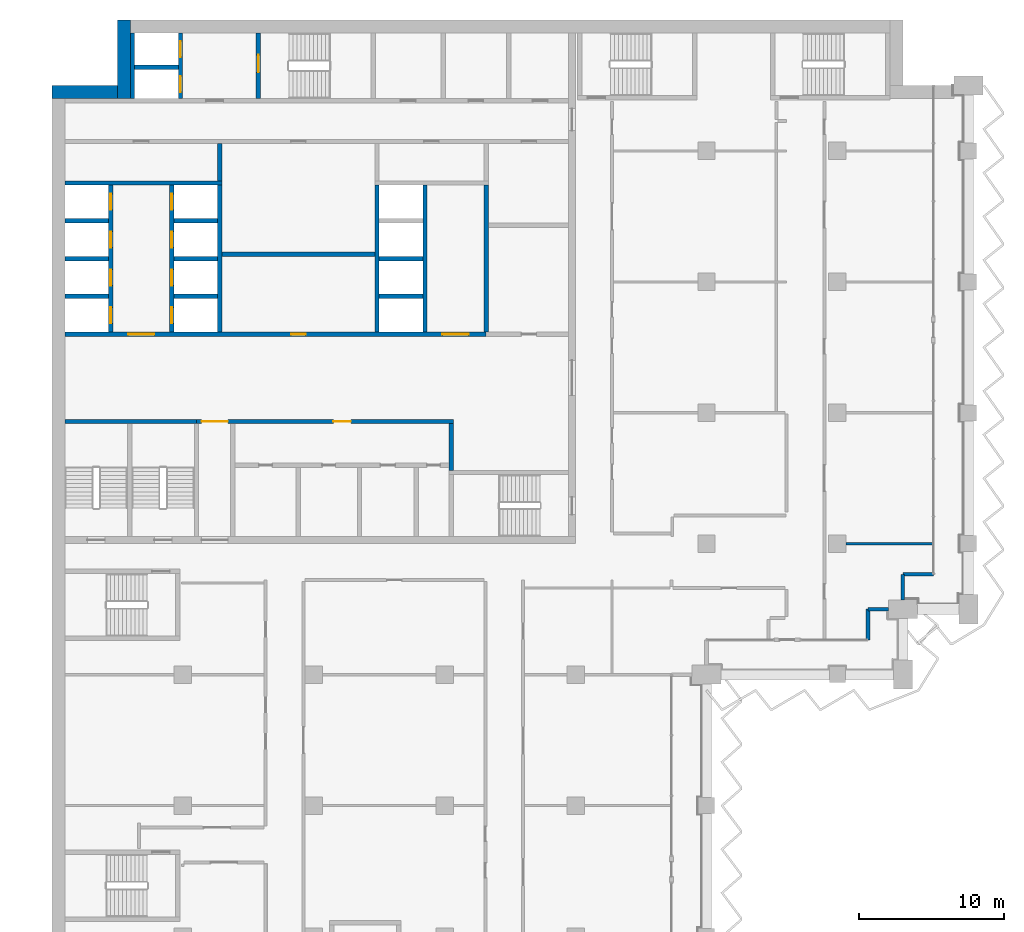
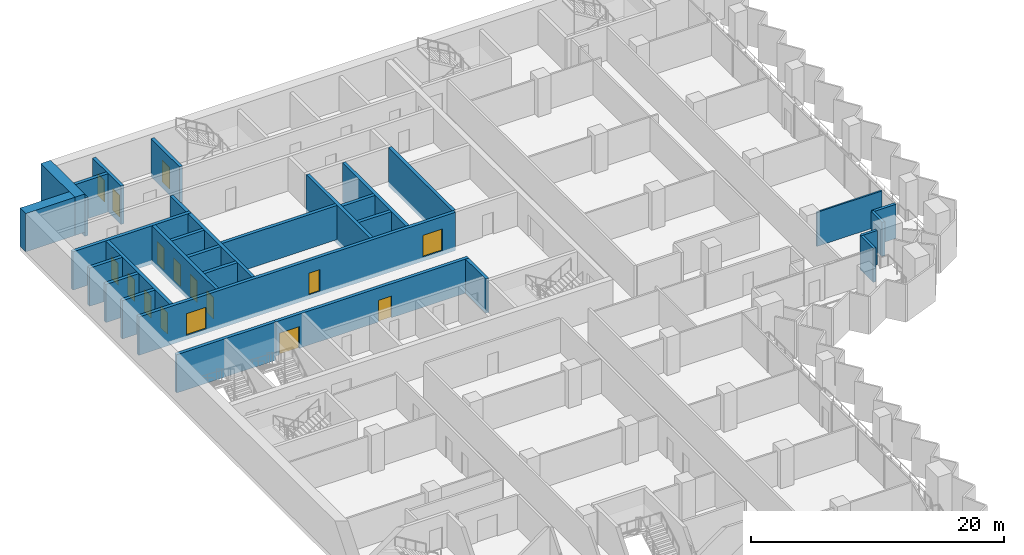
# One storey, part 12 of 22: 32 walls, 16 doors, 16 openings.
"""IFC4 building model written with IfcOpenShell, lengths in metres."""

from ifc_helpers import new_model, si_unit, direction, frame, frame_2d, origin, place, context, subcontext, project, spatial, rectangle, extrude, material, layer, layer_set, type_object, element, fill, save


model = new_model("IFC4")

# Units and contexts
model_context = context("Model", 3, precision=1e-05, world=origin(), true_north=direction((0.0, 1.0)))
body_context = subcontext(model_context, "Body", "Model", "MODEL_VIEW")
ifc_project = project(units=[si_unit("LENGTHUNIT", "METRE"), si_unit("AREAUNIT", "SQUARE_METRE"), si_unit("VOLUMEUNIT", "CUBIC_METRE"), si_unit("PLANEANGLEUNIT", "RADIAN"), si_unit("MASSUNIT", "GRAM", prefix="KILO")], contexts=[model_context])

# Site, building, storey
site_placement = place(None, origin())
site = spatial("IfcSite", under=ifc_project, at=site_placement, CompositionType="ELEMENT")
building_placement = place(site_placement, origin())
building = spatial("IfcBuilding", under=site, at=building_placement, Name="Hunhe Ridgeline Campus", CompositionType="ELEMENT")
storey_placement = place(building_placement, frame((0.0, 0.0, 159.699951171875)))
storey = spatial("IfcBuildingStorey", under=building, at=storey_placement, Name="L40", CompositionType="ELEMENT", Elevation=159.699951171875)

# Wall, openings, doors
ifc_material_1 = material(Name="Masonry concrete blockwork", Category="masonry")
ifc_layer_1 = layer(ifc_material_1, 0.300048828125)
ifc_layer_set_1 = layer_set([ifc_layer_1], Name="Core room partition 300 concrete block")
wall_type_1 = type_object("IfcWallType", Name="Core room partition 300 concrete block", PredefinedType="PARTITIONING", material=ifc_layer_set_1)
wall_1_placement = place(storey_placement, frame((9.949951171875, 71.39990234375, 0.0), z_axis=(0.0, 0.0, 1.0), x_axis=(1.0, 0.0, 0.0)))
wall_1 = element("IfcWall", 1, at=wall_1_placement, inside=storey, type_object=wall_type_1, Name="L40 core partition 11", PredefinedType="PARTITIONING", context=body_context, shape_type="SweptSolid", body=[
    extrude(rectangle(XDim=17.650146484375, YDim=0.300048828125, at=frame_2d((8.8251953125, 0.0))), origin(), (0.0, 0.0, 1.0), 3.300048828125),
])
opening_1_placement = place(wall_1_placement, frame((0.35009765625, 0.0, 0.0)))
opening_1 = element("IfcOpeningElement", 2, at=opening_1_placement, cuts=wall_1, Name="Opening CD7", PredefinedType="OPENING", context=body_context, shape_type="SweptSolid", body=[
    extrude(rectangle(XDim=1.800048828125, YDim=2.10009765625, at=frame_2d((0.89990234375, 1.050048828125))), frame((0.0, 0.14990234375, 0.0), z_axis=(0.0, -1.0, 0.0), x_axis=(1.0, 0.0, 0.0)), (0.0, 0.0, 1.0), 0.300048828125),
])
opening_2_placement = place(wall_1_placement, frame((9.39990234375, 0.0, 0.0)))
opening_2 = element("IfcOpeningElement", 3, at=opening_2_placement, cuts=wall_1, Name="Opening CD12", PredefinedType="OPENING", context=body_context, shape_type="SweptSolid", body=[
    extrude(rectangle(XDim=1.199951171875, YDim=2.10009765625, at=frame_2d((0.60009765625, 1.050048828125))), frame((0.0, 0.14990234375, 0.0), z_axis=(0.0, -1.0, 0.0), x_axis=(1.0, 0.0, 0.0)), (0.0, 0.0, 1.0), 0.300048828125),
])
ifc_material_2 = material(Name="Anodised aluminium and glass", Category="aluminium")
door_type_1 = type_object("IfcDoorType", Name="Glazed double door 1800x2100", OperationType="DOUBLE_DOOR_SINGLE_SWING", PredefinedType="DOOR", material=ifc_material_2)
door_1_placement = place(opening_1_placement, origin())
door_1 = element("IfcDoor", 4, at=door_1_placement, inside=storey, type_object=door_type_1, Name="L40 door VEST-HALL", OperationType="DOUBLE_DOOR_SINGLE_SWING", OverallHeight=2.10009765625, OverallWidth=1.800048828125, PredefinedType="DOOR", context=body_context, shape_type="SweptSolid", body=[
    extrude(rectangle(XDim=1.800048828125, YDim=2.10009765625, at=frame_2d((0.89990234375, 1.050048828125))), frame((0.0, 0.02490234375, 0.0), z_axis=(0.0, -1.0, 0.0), x_axis=(1.0, 0.0, 0.0)), (0.0, 0.0, 1.0), 0.050048828125),
])
fill(opening_1, door_1)
ifc_material_3 = material(Name="Solid core timber door leaf", Category="wood")
door_type_2 = type_object("IfcDoorType", Name="Timber door 1200x2100", OperationType="SINGLE_SWING_LEFT", PredefinedType="DOOR", material=ifc_material_3)
door_2_placement = place(opening_2_placement, origin())
door_2 = element("IfcDoor", 5, at=door_2_placement, inside=storey, type_object=door_type_2, Name="L40 door WCL2-HALL", OperationType="SINGLE_SWING_LEFT", OverallHeight=2.10009765625, OverallWidth=1.199951171875, PredefinedType="DOOR", context=body_context, shape_type="SweptSolid", body=[
    extrude(rectangle(XDim=1.199951171875, YDim=2.10009765625, at=frame_2d((0.60009765625, 1.050048828125))), frame((0.0, 0.02490234375, 0.0), z_axis=(0.0, -1.0, 0.0), x_axis=(1.0, 0.0, 0.0)), (0.0, 0.0, 1.0), 0.050048828125),
])
fill(opening_2, door_2)

# Walls
wall_2_placement = place(storey_placement, frame((11.699951171875, 82.89990234375, 0.0), z_axis=(0.0, 0.0, 1.0), x_axis=(1.0, 0.0, 0.0)))
element("IfcWall", 6, at=wall_2_placement, inside=storey, type_object=wall_type_1, Name="L40 core partition 20", PredefinedType="PARTITIONING", context=body_context, shape_type="SweptSolid", body=[
    extrude(rectangle(XDim=10.5, YDim=0.300048828125, at=frame_2d((5.25, 0.0))), origin(), (0.0, 0.0, 1.0), 3.300048828125),
])
wall_3_placement = place(storey_placement, frame((11.550048828125, 87.949951171875, 0.0), z_axis=(0.0, 0.0, 1.0), x_axis=(0.0, 1.0, 0.0)))
element("IfcWall", 7, at=wall_3_placement, inside=storey, type_object=wall_type_1, Name="L40 core partition 41", PredefinedType="PARTITIONING", context=body_context, shape_type="SweptSolid", body=[
    extrude(rectangle(XDim=2.550048828125, YDim=0.300048828125, at=frame_2d((1.27490234375, 0.0))), origin(), (0.0, 0.0, 1.0), 3.300048828125),
])
wall_4_placement = place(storey_placement, frame((27.449951171875, 68.050048828125, 0.0), z_axis=(0.0, 0.0, 1.0), x_axis=(0.0, 1.0, 0.0)))
element("IfcWall", 8, at=wall_4_placement, inside=storey, type_object=wall_type_1, Name="L40 core partition 55", PredefinedType="PARTITIONING", context=body_context, shape_type="SweptSolid", body=[
    extrude(rectangle(XDim=3.199951171875, YDim=0.300048828125, at=frame_2d((1.60009765625, 0.0))), origin(), (0.0, 0.0, 1.0), 3.300048828125),
])
ifc_material_4 = material(Name="Concrete C30", Category="concrete")
ifc_layer_2 = layer(ifc_material_4, 0.25)
ifc_layer_set_2 = layer_set([ifc_layer_2], Name="Corner return wall 250 Concrete C30")
wall_type_2 = type_object("IfcWallType", Name="Corner return wall 250 Concrete C30", PredefinedType="SOLIDWALL", material=ifc_layer_set_2)
wall_5_placement = place(storey_placement, frame((56.09912109375, 56.40087890625, 0.0), z_axis=(0.0, 0.0, 1.0), x_axis=(0.00011626555, 0.999999993241, 0.0)))
element("IfcWall", 9, at=wall_5_placement, inside=storey, type_object=wall_type_2, Name="Corner return wall 4", PredefinedType="SOLIDWALL", context=body_context, shape_type="SweptSolid", body=[
    extrude(rectangle(XDim=2.099853515625, YDim=0.25, at=frame_2d((1.0498046875, 0.0))), origin(), (0.0, 0.0, 1.0), 3.300048828125),
])
wall_6_placement = place(storey_placement, frame((56.099365234375, 58.500732421875, 0.0), z_axis=(0.0, 0.0, 1.0), x_axis=(0.999999984809, 0.000174307127, 0.0)))
element("IfcWall", 10, at=wall_6_placement, inside=storey, type_object=wall_type_2, Name="Corner return wall 5", PredefinedType="SOLIDWALL", context=body_context, shape_type="SweptSolid", body=[
    extrude(rectangle(XDim=1.400634765625, YDim=0.25, at=frame_2d((0.7001953125, 0.0))), origin(), (0.0, 0.0, 1.0), 3.300048828125),
])
wall_7_placement = place(storey_placement, frame((58.4990234375, 59.14990234375, 0.0), z_axis=(0.0, 0.0, 1.0), x_axis=(0.000139450563, 0.999999990277, 0.0)))
element("IfcWall", 11, at=wall_7_placement, inside=storey, type_object=wall_type_2, Name="Corner return wall 6", PredefinedType="SOLIDWALL", context=body_context, shape_type="SweptSolid", body=[
    extrude(rectangle(XDim=1.750732421875, YDim=0.25, at=frame_2d((0.87548828125, 0.0))), origin(), (0.0, 0.0, 1.0), 3.300048828125),
])
wall_8_placement = place(storey_placement, frame((58.499267578125, 60.900634765625, 0.0), z_axis=(0.0, 0.0, 1.0), x_axis=(0.999999993241, 0.00011626555, 0.0)))
element("IfcWall", 12, at=wall_8_placement, inside=storey, type_object=wall_type_2, Name="Corner return wall 7", PredefinedType="SOLIDWALL", context=body_context, shape_type="SweptSolid", body=[
    extrude(rectangle(XDim=2.099853515625, YDim=0.25, at=frame_2d((1.0498046875, 0.0))), origin(), (0.0, 0.0, 1.0), 3.300048828125),
])
ifc_material_5 = material(Name="Concrete C70", Category="concrete")
ifc_layer_3 = layer(ifc_material_5, 0.300048828125)
ifc_layer_set_3 = layer_set([ifc_layer_3], Name="Lobby wall 300 reinforced concrete C70")
wall_type_3 = type_object("IfcWallType", Name="Lobby wall 300 reinforced concrete C70", PredefinedType="SOLIDWALL", material=ifc_layer_set_3)
wall_9_placement = place(storey_placement, frame((29.85009765625, 77.550048828125, -0.39990234375), z_axis=(0.0, 0.0, 1.0), x_axis=(0.0, 1.0, 0.0)))
element("IfcWall", 13, at=wall_9_placement, inside=storey, type_object=wall_type_3, Name="L40 core wall 56", PredefinedType="SOLIDWALL", context=body_context, shape_type="SweptSolid", body=[
    extrude(rectangle(XDim=10.099853515625, YDim=0.300048828125, at=frame_2d((5.0498046875, 0.0))), origin(), (0.0, 0.0, 1.0), 3.699951171875),
])
ifc_material_6 = material(Name="Gypsum board partition")
ifc_layer_4 = layer(ifc_material_6, 0.14990234375)
ifc_layer_set_4 = layer_set([ifc_layer_4], Name="Room partition 150 gypsum board on steel studs")
wall_type_4 = type_object("IfcWallType", Name="Room partition 150 gypsum board on steel studs", PredefinedType="PARTITIONING", material=ifc_layer_set_4)
wall_10_placement = place(storey_placement, frame((54.60009765625, 63.0, 0.0), z_axis=(0.0, 0.0, 1.0), x_axis=(1.0, 0.0, 0.0)))
element("IfcWall", 14, at=wall_10_placement, inside=storey, type_object=wall_type_4, Name="F-L40-wall-042", PredefinedType="PARTITIONING", context=body_context, shape_type="SweptSolid", body=[
    extrude(rectangle(XDim=5.94482421875, YDim=0.14990234375, at=frame_2d((2.972412109375, 0.0))), origin(), (0.0, 0.0, 1.0), 3.300048828125),
])

# Wall, openings, doors
ifc_layer_5 = layer(ifc_material_5, 0.300048828125)
ifc_layer_set_5 = layer_set([ifc_layer_5], Name="Shaft wall 300 reinforced concrete C70")
wall_type_5 = type_object("IfcWallType", Name="Shaft wall 300 reinforced concrete C70", PredefinedType="SOLIDWALL", material=ifc_layer_set_5)
wall_11_placement = place(storey_placement, frame((0.89990234375, 77.39990234375, -0.39990234375), z_axis=(0.0, 0.0, 1.0), x_axis=(1.0, 0.0, 0.0)))
wall_11 = element("IfcWall", 15, at=wall_11_placement, inside=storey, type_object=wall_type_5, Name="L40 core wall 12", PredefinedType="SOLIDWALL", context=body_context, shape_type="SweptSolid", body=[
    extrude(rectangle(XDim=28.9501953125, YDim=0.300048828125, at=frame_2d((14.47509765625, 0.0))), origin(), (0.0, 0.0, 1.0), 3.699951171875),
])
opening_3_placement = place(wall_11_placement, frame((4.35009765625, 0.0, 0.39990234375)))
opening_3 = element("IfcOpeningElement", 16, at=opening_3_placement, cuts=wall_11, Name="Opening CD1", PredefinedType="OPENING", context=body_context, shape_type="SweptSolid", body=[
    extrude(rectangle(XDim=1.800048828125, YDim=2.10009765625, at=frame_2d((0.89990234375, 1.050048828125))), frame((0.0, 0.14990234375, 0.0), z_axis=(0.0, -1.0, 0.0), x_axis=(1.0, 0.0, 0.0)), (0.0, 0.0, 1.0), 0.300048828125),
])
opening_4_placement = place(wall_11_placement, frame((25.949951171875, 0.0, 0.39990234375)))
opening_4 = element("IfcOpeningElement", 17, at=opening_4_placement, cuts=wall_11, Name="Opening CD2", PredefinedType="OPENING", context=body_context, shape_type="SweptSolid", body=[
    extrude(rectangle(XDim=1.800048828125, YDim=2.10009765625, at=frame_2d((0.89990234375, 1.050048828125))), frame((0.0, 0.14990234375, 0.0), z_axis=(0.0, -1.0, 0.0), x_axis=(1.0, 0.0, 0.0)), (0.0, 0.0, 1.0), 0.300048828125),
])
opening_5_placement = place(wall_11_placement, frame((15.550048828125, 0.0, 0.39990234375)))
opening_5 = element("IfcOpeningElement", 18, at=opening_5_placement, cuts=wall_11, Name="Opening CD28", PredefinedType="OPENING", context=body_context, shape_type="SweptSolid", body=[
    extrude(rectangle(XDim=1.0, YDim=2.10009765625, at=frame_2d((0.5, 1.050048828125))), frame((0.0, 0.14990234375, 0.0), z_axis=(0.0, -1.0, 0.0), x_axis=(1.0, 0.0, 0.0)), (0.0, 0.0, 1.0), 0.300048828125),
])
ifc_material_7 = material(Name="Hollow metal fire door leaf")
door_type_3 = type_object("IfcDoorType", Name="Lobby door 1800x2100 FD60", OperationType="SINGLE_SWING_LEFT", PredefinedType="DOOR", material=ifc_material_7)
door_3_placement = place(opening_3_placement, frame((1.800048828125, 0.0, 0.0), z_axis=(0.0, 0.0, 1.0), x_axis=(-1.0, 0.0, 0.0)))
door_3 = element("IfcDoor", 19, at=door_3_placement, inside=storey, type_object=door_type_3, Name="L40 door LOB-LR", OperationType="SINGLE_SWING_RIGHT", OverallHeight=2.10009765625, OverallWidth=1.800048828125, PredefinedType="DOOR", context=body_context, shape_type="SweptSolid", body=[
    extrude(rectangle(XDim=1.800048828125, YDim=2.10009765625, at=frame_2d((0.89990234375, 1.050048828125))), frame((0.0, 0.02490234375, 0.0), z_axis=(0.0, -1.0, 0.0), x_axis=(1.0, 0.0, 0.0)), (0.0, 0.0, 1.0), 0.050048828125),
])
fill(opening_3, door_3)
door_4_placement = place(opening_4_placement, frame((1.800048828125, 0.0, 0.0), z_axis=(0.0, 0.0, 1.0), x_axis=(-1.0, 0.0, 0.0)))
door_4 = element("IfcDoor", 20, at=door_4_placement, inside=storey, type_object=door_type_3, Name="L40 door LOB-SH", OperationType="SINGLE_SWING_LEFT", OverallHeight=2.10009765625, OverallWidth=1.800048828125, PredefinedType="DOOR", context=body_context, shape_type="SweptSolid", body=[
    extrude(rectangle(XDim=1.800048828125, YDim=2.10009765625, at=frame_2d((0.89990234375, 1.050048828125))), frame((0.0, 0.02490234375, 0.0), z_axis=(0.0, -1.0, 0.0), x_axis=(1.0, 0.0, 0.0)), (0.0, 0.0, 1.0), 0.050048828125),
])
fill(opening_4, door_4)
door_type_4 = type_object("IfcDoorType", Name="Timber door 1000x2100", OperationType="SINGLE_SWING_LEFT", PredefinedType="DOOR", material=ifc_material_3)
door_5_placement = place(opening_5_placement, origin())
door_5 = element("IfcDoor", 21, at=door_5_placement, inside=storey, type_object=door_type_4, Name="L40 door VD-HR0", OperationType="SINGLE_SWING_RIGHT", OverallHeight=2.10009765625, OverallWidth=1.0, PredefinedType="DOOR", context=body_context, shape_type="SweptSolid", body=[
    extrude(rectangle(XDim=1.0, YDim=2.10009765625, at=frame_2d((0.5, 1.050048828125))), frame((0.0, 0.02490234375, 0.0), z_axis=(0.0, -1.0, 0.0), x_axis=(1.0, 0.0, 0.0)), (0.0, 0.0, 1.0), 0.050048828125),
])
fill(opening_5, door_5)

# Walls
for number, where, z_axis, x_axis, name in (
    (22, (0.89990234375, 80.0, -0.39990234375), (0.0, 0.0, 1.0), (1.0, 0.0, 0.0), "L40 core wall 14"),
    (23, (8.39990234375, 80.0, -0.39990234375), (0.0, 0.0, 1.0), (1.0, 0.0, 0.0), "L40 core wall 15"),
    (24, (22.5, 80.0, -0.39990234375), (0.0, 0.0, 1.0), (1.0, 0.0, 0.0), "L40 core wall 16"),
    (25, (0.89990234375, 82.60009765625, -0.39990234375), (0.0, 0.0, 1.0), (1.0, 0.0, 0.0), "L40 core wall 17"),
    (26, (8.39990234375, 82.60009765625, -0.39990234375), (0.0, 0.0, 1.0), (1.0, 0.0, 0.0), "L40 core wall 18"),
    (27, (22.5, 82.60009765625, -0.39990234375), (0.0, 0.0, 1.0), (1.0, 0.0, 0.0), "L40 core wall 19"),
    (28, (0.89990234375, 85.199951171875, -0.39990234375), (0.0, 0.0, 1.0), (1.0, 0.0, 0.0), "L40 core wall 22"),
    (29, (8.39990234375, 85.199951171875, -0.39990234375), (0.0, 0.0, 1.0), (1.0, 0.0, 0.0), "L40 core wall 23"),
):
    element("IfcWall", number, at=place(storey_placement, frame(where, z_axis=z_axis, x_axis=x_axis)), inside=storey, type_object=wall_type_5, Name=name, PredefinedType="SOLIDWALL", context=body_context, shape_type="SweptSolid", body=[
        extrude(rectangle(XDim=3.0, YDim=0.300048828125, at=frame_2d((1.5, 0.0))), origin(), (0.0, 0.0, 1.0), 3.699951171875),
    ])
wall_12_placement = place(storey_placement, frame((0.89990234375, 87.800048828125, -0.39990234375), z_axis=(0.0, 0.0, 1.0), x_axis=(1.0, 0.0, 0.0)))
element("IfcWall", 30, at=wall_12_placement, inside=storey, type_object=wall_type_5, Name="L40 core wall 25", PredefinedType="SOLIDWALL", context=body_context, shape_type="SweptSolid", body=[
    extrude(rectangle(XDim=10.800048828125, YDim=0.300048828125, at=frame_2d((5.39990234375, 0.0))), origin(), (0.0, 0.0, 1.0), 3.699951171875),
])
wall_13_placement = place(storey_placement, frame((5.699951171875, 95.75, -0.39990234375), z_axis=(0.0, 0.0, 1.0), x_axis=(1.0, 0.0, 0.0)))
element("IfcWall", 31, at=wall_13_placement, inside=storey, type_object=wall_type_5, Name="L40 core wall 31", PredefinedType="SOLIDWALL", context=body_context, shape_type="SweptSolid", body=[
    extrude(rectangle(XDim=3.0, YDim=0.300048828125, at=frame_2d((1.5, 0.0))), origin(), (0.0, 0.0, 1.0), 3.699951171875),
])

# Wall, openings, doors
wall_14_placement = place(storey_placement, frame((4.050048828125, 77.550048828125, -0.39990234375), z_axis=(0.0, 0.0, 1.0), x_axis=(0.0, 1.0, 0.0)))
wall_14 = element("IfcWall", 32, at=wall_14_placement, inside=storey, type_object=wall_type_5, Name="L40 core wall 32", PredefinedType="SOLIDWALL", context=body_context, shape_type="SweptSolid", body=[
    extrude(rectangle(XDim=10.099853515625, YDim=0.300048828125, at=frame_2d((5.0498046875, 0.0))), origin(), (0.0, 0.0, 1.0), 3.699951171875),
])
opening_6_placement = place(wall_14_placement, frame((0.60009765625, 0.0, 0.39990234375)))
opening_6 = element("IfcOpeningElement", 33, at=opening_6_placement, cuts=wall_14, Name="Opening LD-LR1", PredefinedType="OPENING", context=body_context, shape_type="SweptSolid", body=[
    extrude(rectangle(XDim=1.10009765625, YDim=2.10009765625, at=frame_2d((0.550048828125, 1.050048828125))), frame((0.0, 0.14990234375, 0.0), z_axis=(0.0, -1.0, 0.0), x_axis=(1.0, 0.0, 0.0)), (0.0, 0.0, 1.0), 0.300048828125),
])
opening_7_placement = place(wall_14_placement, frame((3.199951171875, 0.0, 0.39990234375)))
opening_7 = element("IfcOpeningElement", 34, at=opening_7_placement, cuts=wall_14, Name="Opening LD-LR2", PredefinedType="OPENING", context=body_context, shape_type="SweptSolid", body=[
    extrude(rectangle(XDim=1.10009765625, YDim=2.10009765625, at=frame_2d((0.550048828125, 1.050048828125))), frame((0.0, 0.14990234375, 0.0), z_axis=(0.0, -1.0, 0.0), x_axis=(1.0, 0.0, 0.0)), (0.0, 0.0, 1.0), 0.300048828125),
])
opening_8_placement = place(wall_14_placement, frame((5.800048828125, 0.0, 0.39990234375)))
opening_8 = element("IfcOpeningElement", 35, at=opening_8_placement, cuts=wall_14, Name="Opening LD-LR3", PredefinedType="OPENING", context=body_context, shape_type="SweptSolid", body=[
    extrude(rectangle(XDim=1.10009765625, YDim=2.10009765625, at=frame_2d((0.550048828125, 1.050048828125))), frame((0.0, 0.14990234375, 0.0), z_axis=(0.0, -1.0, 0.0), x_axis=(1.0, 0.0, 0.0)), (0.0, 0.0, 1.0), 0.300048828125),
])
opening_9_placement = place(wall_14_placement, frame((8.39990234375, 0.0, 0.39990234375)))
opening_9 = element("IfcOpeningElement", 36, at=opening_9_placement, cuts=wall_14, Name="Opening LD-LR4", PredefinedType="OPENING", context=body_context, shape_type="SweptSolid", body=[
    extrude(rectangle(XDim=1.10009765625, YDim=2.10009765625, at=frame_2d((0.550048828125, 1.050048828125))), frame((0.0, 0.14990234375, 0.0), z_axis=(0.0, -1.0, 0.0), x_axis=(1.0, 0.0, 0.0)), (0.0, 0.0, 1.0), 0.300048828125),
])
ifc_material_8 = material(Name="Stainless steel sliding leaves", Category="steel")
door_type_5 = type_object("IfcDoorType", Name="Landing door 1100x2100 FD120", OperationType="SLIDING_TO_LEFT", PredefinedType="DOOR", material=ifc_material_8)
door_6_placement = place(opening_6_placement, origin())
door_6 = element("IfcDoor", 37, at=door_6_placement, inside=storey, type_object=door_type_5, Name="L40 landing door LR1", OperationType="SLIDING_TO_RIGHT", OverallHeight=2.10009765625, OverallWidth=1.10009765625, PredefinedType="DOOR", context=body_context, shape_type="SweptSolid", body=[
    extrude(rectangle(XDim=1.10009765625, YDim=2.10009765625, at=frame_2d((0.550048828125, 1.050048828125))), frame((0.0, 0.02490234375, 0.0), z_axis=(0.0, -1.0, 0.0), x_axis=(1.0, 0.0, 0.0)), (0.0, 0.0, 1.0), 0.050048828125),
])
fill(opening_6, door_6)
door_7_placement = place(opening_7_placement, origin())
door_7 = element("IfcDoor", 38, at=door_7_placement, inside=storey, type_object=door_type_5, Name="L40 landing door LR2", OperationType="SLIDING_TO_LEFT", OverallHeight=2.10009765625, OverallWidth=1.10009765625, PredefinedType="DOOR", context=body_context, shape_type="SweptSolid", body=[
    extrude(rectangle(XDim=1.10009765625, YDim=2.10009765625, at=frame_2d((0.550048828125, 1.050048828125))), frame((0.0, 0.02490234375, 0.0), z_axis=(0.0, -1.0, 0.0), x_axis=(1.0, 0.0, 0.0)), (0.0, 0.0, 1.0), 0.050048828125),
])
fill(opening_7, door_7)
door_8_placement = place(opening_8_placement, origin())
door_8 = element("IfcDoor", 39, at=door_8_placement, inside=storey, type_object=door_type_5, Name="L40 landing door LR3", OperationType="SLIDING_TO_RIGHT", OverallHeight=2.10009765625, OverallWidth=1.10009765625, PredefinedType="DOOR", context=body_context, shape_type="SweptSolid", body=[
    extrude(rectangle(XDim=1.10009765625, YDim=2.10009765625, at=frame_2d((0.550048828125, 1.050048828125))), frame((0.0, 0.02490234375, 0.0), z_axis=(0.0, -1.0, 0.0), x_axis=(1.0, 0.0, 0.0)), (0.0, 0.0, 1.0), 0.050048828125),
])
fill(opening_8, door_8)
door_9_placement = place(opening_9_placement, origin())
door_9 = element("IfcDoor", 40, at=door_9_placement, inside=storey, type_object=door_type_5, Name="L40 landing door LR4", OperationType="SLIDING_TO_LEFT", OverallHeight=2.10009765625, OverallWidth=1.10009765625, PredefinedType="DOOR", context=body_context, shape_type="SweptSolid", body=[
    extrude(rectangle(XDim=1.10009765625, YDim=2.10009765625, at=frame_2d((0.550048828125, 1.050048828125))), frame((0.0, 0.02490234375, 0.0), z_axis=(0.0, -1.0, 0.0), x_axis=(1.0, 0.0, 0.0)), (0.0, 0.0, 1.0), 0.050048828125),
])
fill(opening_9, door_9)

# Wall
wall_15_placement = place(storey_placement, frame((5.550048828125, 93.60009765625, -0.39990234375), z_axis=(0.0, 0.0, 1.0), x_axis=(0.0, 1.0, 0.0)))
element("IfcWall", 41, at=wall_15_placement, inside=storey, type_object=wall_type_5, Name="L40 core wall 34", PredefinedType="SOLIDWALL", context=body_context, shape_type="SweptSolid", body=[
    extrude(rectangle(XDim=4.5, YDim=0.300048828125, at=frame_2d((2.25, 0.0))), origin(), (0.0, 0.0, 1.0), 3.699951171875),
])

# Wall, openings, doors
wall_16_placement = place(storey_placement, frame((8.25, 77.550048828125, -0.39990234375), z_axis=(0.0, 0.0, 1.0), x_axis=(0.0, 1.0, 0.0)))
wall_16 = element("IfcWall", 42, at=wall_16_placement, inside=storey, type_object=wall_type_5, Name="L40 core wall 35", PredefinedType="SOLIDWALL", context=body_context, shape_type="SweptSolid", body=[
    extrude(rectangle(XDim=10.099853515625, YDim=0.300048828125, at=frame_2d((5.0498046875, 0.0))), origin(), (0.0, 0.0, 1.0), 3.699951171875),
])
opening_10_placement = place(wall_16_placement, frame((0.60009765625, 0.0, 0.39990234375)))
opening_10 = element("IfcOpeningElement", 43, at=opening_10_placement, cuts=wall_16, Name="Opening LD-LR5", PredefinedType="OPENING", context=body_context, shape_type="SweptSolid", body=[
    extrude(rectangle(XDim=1.10009765625, YDim=2.10009765625, at=frame_2d((0.550048828125, 1.050048828125))), frame((0.0, 0.14990234375, 0.0), z_axis=(0.0, -1.0, 0.0), x_axis=(1.0, 0.0, 0.0)), (0.0, 0.0, 1.0), 0.300048828125),
])
opening_11_placement = place(wall_16_placement, frame((3.199951171875, 0.0, 0.39990234375)))
opening_11 = element("IfcOpeningElement", 44, at=opening_11_placement, cuts=wall_16, Name="Opening LD-LR6", PredefinedType="OPENING", context=body_context, shape_type="SweptSolid", body=[
    extrude(rectangle(XDim=1.10009765625, YDim=2.10009765625, at=frame_2d((0.550048828125, 1.050048828125))), frame((0.0, 0.14990234375, 0.0), z_axis=(0.0, -1.0, 0.0), x_axis=(1.0, 0.0, 0.0)), (0.0, 0.0, 1.0), 0.300048828125),
])
opening_12_placement = place(wall_16_placement, frame((5.800048828125, 0.0, 0.39990234375)))
opening_12 = element("IfcOpeningElement", 45, at=opening_12_placement, cuts=wall_16, Name="Opening LD-LR7", PredefinedType="OPENING", context=body_context, shape_type="SweptSolid", body=[
    extrude(rectangle(XDim=1.10009765625, YDim=2.10009765625, at=frame_2d((0.550048828125, 1.050048828125))), frame((0.0, 0.14990234375, 0.0), z_axis=(0.0, -1.0, 0.0), x_axis=(1.0, 0.0, 0.0)), (0.0, 0.0, 1.0), 0.300048828125),
])
opening_13_placement = place(wall_16_placement, frame((8.39990234375, 0.0, 0.39990234375)))
opening_13 = element("IfcOpeningElement", 46, at=opening_13_placement, cuts=wall_16, Name="Opening LD-LR8", PredefinedType="OPENING", context=body_context, shape_type="SweptSolid", body=[
    extrude(rectangle(XDim=1.10009765625, YDim=2.10009765625, at=frame_2d((0.550048828125, 1.050048828125))), frame((0.0, 0.14990234375, 0.0), z_axis=(0.0, -1.0, 0.0), x_axis=(1.0, 0.0, 0.0)), (0.0, 0.0, 1.0), 0.300048828125),
])
door_10_placement = place(opening_10_placement, origin())
door_10 = element("IfcDoor", 47, at=door_10_placement, inside=storey, type_object=door_type_5, Name="L40 landing door LR5", OperationType="SLIDING_TO_RIGHT", OverallHeight=2.10009765625, OverallWidth=1.10009765625, PredefinedType="DOOR", context=body_context, shape_type="SweptSolid", body=[
    extrude(rectangle(XDim=1.10009765625, YDim=2.10009765625, at=frame_2d((0.550048828125, 1.050048828125))), frame((0.0, 0.02490234375, 0.0), z_axis=(0.0, -1.0, 0.0), x_axis=(1.0, 0.0, 0.0)), (0.0, 0.0, 1.0), 0.050048828125),
])
fill(opening_10, door_10)
door_11_placement = place(opening_11_placement, origin())
door_11 = element("IfcDoor", 48, at=door_11_placement, inside=storey, type_object=door_type_5, Name="L40 landing door LR6", OperationType="SLIDING_TO_LEFT", OverallHeight=2.10009765625, OverallWidth=1.10009765625, PredefinedType="DOOR", context=body_context, shape_type="SweptSolid", body=[
    extrude(rectangle(XDim=1.10009765625, YDim=2.10009765625, at=frame_2d((0.550048828125, 1.050048828125))), frame((0.0, 0.02490234375, 0.0), z_axis=(0.0, -1.0, 0.0), x_axis=(1.0, 0.0, 0.0)), (0.0, 0.0, 1.0), 0.050048828125),
])
fill(opening_11, door_11)
door_12_placement = place(opening_12_placement, origin())
door_12 = element("IfcDoor", 49, at=door_12_placement, inside=storey, type_object=door_type_5, Name="L40 landing door LR7", OperationType="SLIDING_TO_RIGHT", OverallHeight=2.10009765625, OverallWidth=1.10009765625, PredefinedType="DOOR", context=body_context, shape_type="SweptSolid", body=[
    extrude(rectangle(XDim=1.10009765625, YDim=2.10009765625, at=frame_2d((0.550048828125, 1.050048828125))), frame((0.0, 0.02490234375, 0.0), z_axis=(0.0, -1.0, 0.0), x_axis=(1.0, 0.0, 0.0)), (0.0, 0.0, 1.0), 0.050048828125),
])
fill(opening_12, door_12)
door_13_placement = place(opening_13_placement, origin())
door_13 = element("IfcDoor", 50, at=door_13_placement, inside=storey, type_object=door_type_5, Name="L40 landing door LR8", OperationType="SLIDING_TO_LEFT", OverallHeight=2.10009765625, OverallWidth=1.10009765625, PredefinedType="DOOR", context=body_context, shape_type="SweptSolid", body=[
    extrude(rectangle(XDim=1.10009765625, YDim=2.10009765625, at=frame_2d((0.550048828125, 1.050048828125))), frame((0.0, 0.02490234375, 0.0), z_axis=(0.0, -1.0, 0.0), x_axis=(1.0, 0.0, 0.0)), (0.0, 0.0, 1.0), 0.050048828125),
])
fill(opening_13, door_13)

wall_17_placement = place(storey_placement, frame((8.85009765625, 93.60009765625, -0.39990234375), z_axis=(0.0, 0.0, 1.0), x_axis=(0.0, 1.0, 0.0)))
wall_17 = element("IfcWall", 51, at=wall_17_placement, inside=storey, type_object=wall_type_5, Name="L40 core wall 38", PredefinedType="SOLIDWALL", context=body_context, shape_type="SweptSolid", body=[
    extrude(rectangle(XDim=4.5, YDim=0.300048828125, at=frame_2d((2.25, 0.0))), origin(), (0.0, 0.0, 1.0), 3.699951171875),
])
opening_14_placement = place(wall_17_placement, frame((0.449951171875, 0.0, 0.39990234375)))
opening_14 = element("IfcOpeningElement", 52, at=opening_14_placement, cuts=wall_17, Name="Opening LD-FF1", PredefinedType="OPENING", context=body_context, shape_type="SweptSolid", body=[
    extrude(rectangle(XDim=1.10009765625, YDim=2.10009765625, at=frame_2d((0.550048828125, 1.050048828125))), frame((0.0, 0.14990234375, 0.0), z_axis=(0.0, -1.0, 0.0), x_axis=(1.0, 0.0, 0.0)), (0.0, 0.0, 1.0), 0.300048828125),
])
opening_15_placement = place(wall_17_placement, frame((2.85009765625, 0.0, 0.39990234375)))
opening_15 = element("IfcOpeningElement", 53, at=opening_15_placement, cuts=wall_17, Name="Opening LD-FF2", PredefinedType="OPENING", context=body_context, shape_type="SweptSolid", body=[
    extrude(rectangle(XDim=1.10009765625, YDim=2.10009765625, at=frame_2d((0.550048828125, 1.050048828125))), frame((0.0, 0.14990234375, 0.0), z_axis=(0.0, -1.0, 0.0), x_axis=(1.0, 0.0, 0.0)), (0.0, 0.0, 1.0), 0.300048828125),
])
door_14_placement = place(opening_14_placement, origin())
door_14 = element("IfcDoor", 54, at=door_14_placement, inside=storey, type_object=door_type_5, Name="L40 landing door FF1", OperationType="SLIDING_TO_RIGHT", OverallHeight=2.10009765625, OverallWidth=1.10009765625, PredefinedType="DOOR", context=body_context, shape_type="SweptSolid", body=[
    extrude(rectangle(XDim=1.10009765625, YDim=2.10009765625, at=frame_2d((0.550048828125, 1.050048828125))), frame((0.0, 0.02490234375, 0.0), z_axis=(0.0, -1.0, 0.0), x_axis=(1.0, 0.0, 0.0)), (0.0, 0.0, 1.0), 0.050048828125),
])
fill(opening_14, door_14)
door_15_placement = place(opening_15_placement, origin())
door_15 = element("IfcDoor", 55, at=door_15_placement, inside=storey, type_object=door_type_5, Name="L40 landing door FF2", OperationType="SLIDING_TO_LEFT", OverallHeight=2.10009765625, OverallWidth=1.10009765625, PredefinedType="DOOR", context=body_context, shape_type="SweptSolid", body=[
    extrude(rectangle(XDim=1.10009765625, YDim=2.10009765625, at=frame_2d((0.550048828125, 1.050048828125))), frame((0.0, 0.02490234375, 0.0), z_axis=(0.0, -1.0, 0.0), x_axis=(1.0, 0.0, 0.0)), (0.0, 0.0, 1.0), 0.050048828125),
])
fill(opening_15, door_15)

# Walls
for number, where, z_axis, x_axis, name in (
    (56, (11.550048828125, 77.550048828125, -0.39990234375), (0.0, 0.0, 1.0), (0.0, 1.0, 0.0), "L40 core wall 40"),
    (57, (22.35009765625, 77.550048828125, -0.39990234375), (0.0, 0.0, 1.0), (0.0, 1.0, 0.0), "L40 core wall 48"),
    (58, (25.64990234375, 77.550048828125, -0.39990234375), (0.0, 0.0, 1.0), (0.0, 1.0, 0.0), "L40 core wall 52"),
):
    element("IfcWall", number, at=place(storey_placement, frame(where, z_axis=z_axis, x_axis=x_axis)), inside=storey, type_object=wall_type_5, Name=name, PredefinedType="SOLIDWALL", context=body_context, shape_type="SweptSolid", body=[
        extrude(rectangle(XDim=10.099853515625, YDim=0.300048828125, at=frame_2d((5.0498046875, 0.0))), origin(), (0.0, 0.0, 1.0), 3.699951171875),
    ])
ifc_layer_6 = layer(ifc_material_5, 0.89990234375)
ifc_layer_set_6 = layer_set([ifc_layer_6], Name="Spine wall 900 Concrete C70")
wall_type_6 = type_object("IfcWallType", Name="Spine wall 900 Concrete C70", PredefinedType="SHEAR", material=ifc_layer_set_6)
for number, where, z_axis, x_axis, name in (
    (59, (4.949951171875, 99.0, 0.0), (0.0, 0.0, 1.0), (0.0, -1.0, 0.0), "Spine wall SW2-5 L40"),
    (60, (5.400146484375, 94.050048828125, 0.0), (0.0, 0.0, 1.0), (-1.0, 0.0, 0.0), "Spine wall SW2-6 L40"),
):
    element("IfcWall", number, at=place(storey_placement, frame(where, z_axis=z_axis, x_axis=x_axis)), inside=storey, type_object=wall_type_6, Name=name, PredefinedType="SHEAR", context=body_context, shape_type="SweptSolid", body=[
        extrude(rectangle(XDim=5.400146484375, YDim=0.89990234375, at=frame_2d((2.7001953125, 0.0))), origin(), (0.0, 0.0, 1.0), 3.699951171875),
    ])
ifc_layer_7 = layer(ifc_material_5, 0.300048828125)
ifc_layer_set_7 = layer_set([ifc_layer_7], Name="Stair wall 300 reinforced concrete C70")
wall_type_7 = type_object("IfcWallType", Name="Stair wall 300 reinforced concrete C70", PredefinedType="SOLIDWALL", material=ifc_layer_set_7)
wall_18_placement = place(storey_placement, frame((0.89990234375, 71.39990234375, -0.39990234375), z_axis=(0.0, 0.0, 1.0), x_axis=(1.0, 0.0, 0.0)))
element("IfcWall", 61, at=wall_18_placement, inside=storey, type_object=wall_type_7, Name="L40 core wall 10", PredefinedType="SOLIDWALL", context=body_context, shape_type="SweptSolid", body=[
    extrude(rectangle(XDim=9.050048828125, YDim=0.300048828125, at=frame_2d((4.52490234375, 0.0))), origin(), (0.0, 0.0, 1.0), 3.699951171875),
])

# Wall, opening, door
wall_19_placement = place(storey_placement, frame((14.199951171875, 93.60009765625, -0.39990234375), z_axis=(0.0, 0.0, 1.0), x_axis=(0.0, 1.0, 0.0)))
wall_19 = element("IfcWall", 62, at=wall_19_placement, inside=storey, type_object=wall_type_7, Name="L40 core wall 43", PredefinedType="SOLIDWALL", context=body_context, shape_type="SweptSolid", body=[
    extrude(rectangle(XDim=4.5, YDim=0.300048828125, at=frame_2d((2.25, 0.0))), origin(), (0.0, 0.0, 1.0), 3.699951171875),
])
opening_16_placement = place(wall_19_placement, frame((1.800048828125, 0.0, 0.39990234375)))
opening_16 = element("IfcOpeningElement", 63, at=opening_16_placement, cuts=wall_19, Name="Opening CD16", PredefinedType="OPENING", context=body_context, shape_type="SweptSolid", body=[
    extrude(rectangle(XDim=1.199951171875, YDim=2.10009765625, at=frame_2d((0.60009765625, 1.050048828125))), frame((0.0, 0.14990234375, 0.0), z_axis=(0.0, -1.0, 0.0), x_axis=(1.0, 0.0, 0.0)), (0.0, 0.0, 1.0), 0.300048828125),
])
door_type_6 = type_object("IfcDoorType", Name="Stair door 1200x2100 FD60", OperationType="SINGLE_SWING_LEFT", PredefinedType="DOOR", material=ifc_material_7)
door_16_placement = place(opening_16_placement, origin())
door_16 = element("IfcDoor", 64, at=door_16_placement, inside=storey, type_object=door_type_6, Name="L40 door S1-FF", OperationType="SINGLE_SWING_LEFT", OverallHeight=2.10009765625, OverallWidth=1.199951171875, PredefinedType="DOOR", context=body_context, shape_type="SweptSolid", body=[
    extrude(rectangle(XDim=1.199951171875, YDim=2.10009765625, at=frame_2d((0.60009765625, 1.050048828125))), frame((0.0, 0.02490234375, 0.0), z_axis=(0.0, -1.0, 0.0), x_axis=(1.0, 0.0, 0.0)), (0.0, 0.0, 1.0), 0.050048828125),
])
fill(opening_16, door_16)

save(model, "model.ifc")
